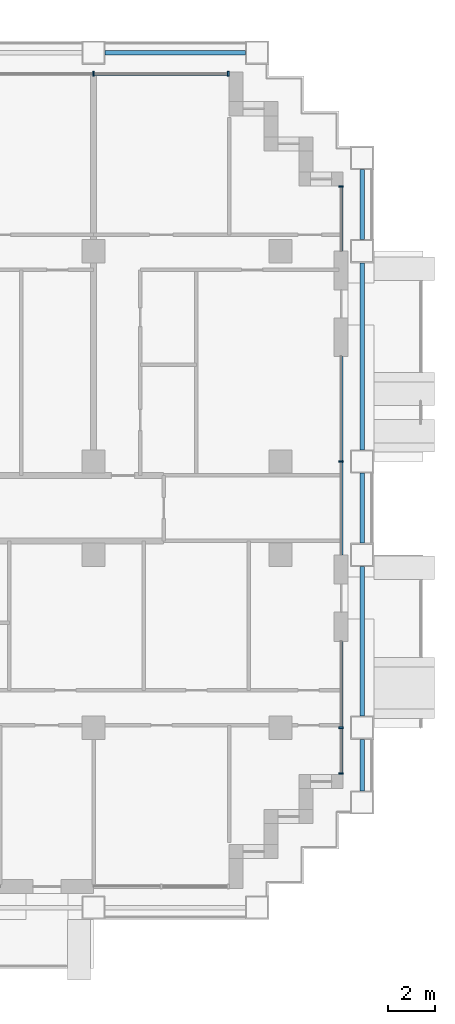
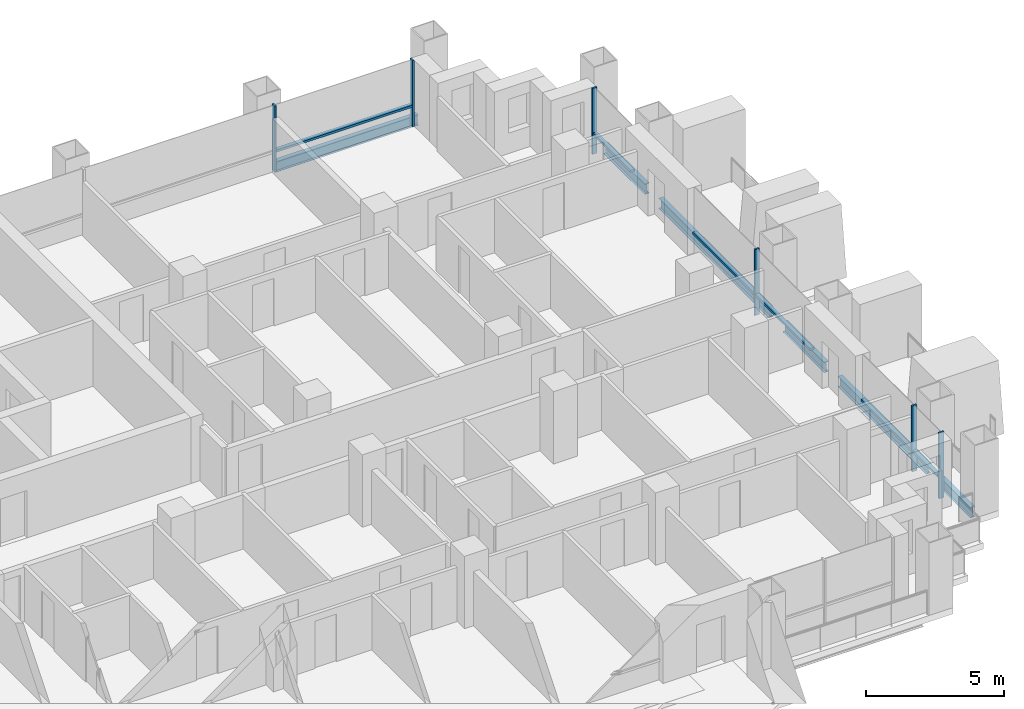
# One storey, part 6 of 18: 12 members, 6 beams, 4 elements without a shape of their own.
"""IFC4 building model written with IfcOpenShell, lengths in metres."""

import ifcopenshell
import ifcopenshell.guid

model = None  # the IFC model being written
_history = None  # IfcOwnerHistory: only IFC2X3 demands one
_inside = {}  # id of a spatial element -> (the spatial element, [elements in it])
_under = {}  # id of a project, library or spatial element -> (it, [spatial elements below it])
_declared = {}  # id of a project -> (the project, [libraries it declares])
_typed = {}  # id of a type object -> (the type object, [elements of that type])
_made_of = {}  # id of a material, layer set ... -> (it, [elements and type objects made of it])


def new_model(schema):
    """Start an empty IFC model of exactly this schema.

    Asked for "IFC4X3", IfcOpenShell would pick the latest addendum, in which some entities
    have other attributes; the version numbers below select the first issue.
    IFC2X3 requires an IfcOwnerHistory on every rooted entity: one is made here for all.
    """
    global model, _history
    if schema == "IFC4X3":
        model = ifcopenshell.file(schema_version=(4, 3, 0, 0))
    else:
        model = ifcopenshell.file(schema=schema)
    _inside.clear()
    _under.clear()
    _declared.clear()
    _typed.clear()
    _made_of.clear()
    _history = None
    if model.schema == "IFC2X3":
        org = make("IfcOrganization", Name="unknown")
        user = make(
            "IfcPersonAndOrganization",
            ThePerson=make("IfcPerson", FamilyName="unknown"),
            TheOrganization=org,
        )
        app = make(
            "IfcApplication",
            ApplicationDeveloper=org,
            Version="unknown",
            ApplicationFullName="unknown",
            ApplicationIdentifier="unknown",
        )
        _history = make(
            "IfcOwnerHistory",
            OwningUser=user,
            OwningApplication=app,
            ChangeAction="ADDED",
            CreationDate=0,
        )
    return model


def make(cls, **values):
    """One entity of the class cls with the attributes given. An attribute that is None is left unset."""
    return model.create_entity(
        cls, **{name: value for name, value in values.items() if value is not None}
    )


def rooted(cls, **values):
    """An entity with a GlobalId (a new one), such as an element, a storey or a relation."""
    return make(cls, GlobalId=ifcopenshell.guid.new(), OwnerHistory=_history, **values)


def si_unit(unit_type, name, prefix=None):
    """IfcSIUnit, for example si_unit("LENGTHUNIT", "METRE", prefix="MILLI")."""
    return make("IfcSIUnit", UnitType=unit_type, Prefix=prefix, Name=name)


def assignment(units):
    """IfcUnitAssignment: the units of a project."""
    return None if units is None else make("IfcUnitAssignment", Units=units)


def point(xyz):
    """IfcCartesianPoint."""
    return None if xyz is None else make("IfcCartesianPoint", Coordinates=xyz)


def direction(xyz):
    """IfcDirection."""
    return None if xyz is None else make("IfcDirection", DirectionRatios=xyz)


def frame(location, z_axis=None, x_axis=None):
    """IfcAxis2Placement3D, a coordinate frame: its origin and axes. An axis left out is left unset."""
    return make(
        "IfcAxis2Placement3D",
        Location=point(location),
        Axis=direction(z_axis),
        RefDirection=direction(x_axis),
    )


def frame_2d(location, x_axis=None):
    """IfcAxis2Placement2D, a coordinate frame in the plane: its origin and x axis."""
    return make(
        "IfcAxis2Placement2D", Location=point(location), RefDirection=direction(x_axis)
    )


def origin():
    """The frame at (0, 0, 0) with its axes left unset."""
    return frame((0.0, 0.0, 0.0))


def origin_2d():
    """The frame at (0, 0) in the plane with its x axis left unset."""
    return frame_2d((0.0, 0.0))


def place(relative_to, where):
    """IfcLocalPlacement: puts the frame where relative to a parent placement (None: the world)."""
    return make(
        "IfcLocalPlacement", PlacementRelTo=relative_to, RelativePlacement=where
    )


def context(
    kind, dimensions, precision=None, world=None, true_north=None, identifier=None
):
    """IfcGeometricRepresentationContext, for example the 3D "Model" context."""
    return make(
        "IfcGeometricRepresentationContext",
        ContextIdentifier=identifier,
        ContextType=kind,
        CoordinateSpaceDimension=dimensions,
        Precision=precision,
        WorldCoordinateSystem=world,
        TrueNorth=true_north,
    )


def subcontext(parent, identifier, kind, view, scale=None):
    """IfcGeometricRepresentationSubContext, for example "Body" below "Model"."""
    return make(
        "IfcGeometricRepresentationSubContext",
        ContextIdentifier=identifier,
        ContextType=kind,
        ParentContext=parent,
        TargetScale=scale,
        TargetView=view,
    )


def project(units=None, contexts=None):
    """IfcProject with its units and contexts."""
    return rooted(
        "IfcProject",
        Name="project",
        RepresentationContexts=contexts,
        UnitsInContext=assignment(units),
    )


def spatial(cls, under=None, at=None, **own):
    """A site, building, storey or space (cls), placed at a placement, below another one or the project."""
    s = rooted(cls, ObjectPlacement=at, **own)
    if under is not None:
        _under.setdefault(under.id(), (under, []))[1].append(s)
    return s


def profile(cls, at=None, kind="AREA", **sizes):
    """A parametric profile (cls). Its sizes go by their IFC names, for example OverallWidth=200.0."""
    return make(cls, ProfileType=kind, Position=at, **sizes)


def rectangle(**sizes):
    """IfcRectangleProfileDef."""
    return profile("IfcRectangleProfileDef", **sizes)


def i_section(**sizes):
    """IfcIShapeProfileDef."""
    return profile("IfcIShapeProfileDef", **sizes)


def extrude(swept, where, along, depth):
    """IfcExtrudedAreaSolid: the profile swept, set in the frame where, extruded along a direction by depth."""
    return make(
        "IfcExtrudedAreaSolid",
        SweptArea=swept,
        Position=where,
        ExtrudedDirection=direction(along),
        Depth=depth,
    )


def shape(context_of_items, identifier, shape_type, items):
    """IfcShapeRepresentation: the items that make up one representation, for example the "Body"."""
    return make(
        "IfcShapeRepresentation",
        ContextOfItems=context_of_items,
        RepresentationIdentifier=identifier,
        RepresentationType=shape_type,
        Items=items,
    )


def material(Name=None, Category=None):
    """IfcMaterial."""
    return make("IfcMaterial", Name=Name, Category=Category)


def material_profile(
    of_material, cross_section, Name=None, Category=None, Priority=None
):
    """IfcMaterialProfile: a cross section and its material."""
    return make(
        "IfcMaterialProfile",
        Name=Name,
        Material=of_material,
        Profile=cross_section,
        Priority=Priority,
        Category=Category,
    )


def profile_set(profiles, Name=None, composite=None):
    """IfcMaterialProfileSet."""
    return make(
        "IfcMaterialProfileSet",
        Name=Name,
        MaterialProfiles=profiles,
        CompositeProfile=composite,
    )


def made_of(thing, what):
    """Note that an element or type object is made of a material, layer set ...; save() writes the relation."""
    if what is not None:
        _made_of.setdefault(what.id(), (what, []))[1].append(thing)
    return thing


def type_object(cls, material=None, **own):
    """A type object (cls), such as IfcWallType, which elements share."""
    return made_of(rooted(cls, **own), material)


def element(
    cls,
    number,
    at=None,
    inside=None,
    cuts=None,
    type_object=None,
    material=None,
    context=None,
    identifier="Body",
    shape_type=None,
    held_by="IfcProductDefinitionShape",
    body=None,
    shapes=None,
    **own,
):
    """One element of the class cls, such as IfcWall. Its Tag is "e" and its number.

    at: its placement. inside: the storey or other place that contains it. cuts: it is an
    opening in that element (IfcRelVoidsElement). A single representation is given by context,
    identifier, shape_type and body (its items); several are given by shapes. held_by: the class
    of the entity that holds the representations. save() writes the other relations.
    """
    e = rooted(cls, Tag="e%d" % number, ObjectPlacement=at, **own)
    if body is not None:
        shapes = [shape(context, identifier, shape_type, body)]
    if shapes is not None:
        e.Representation = make(held_by, Representations=shapes)
    if inside is not None:
        _inside.setdefault(inside.id(), (inside, []))[1].append(e)
    if cuts is not None:
        rooted(
            "IfcRelVoidsElement", RelatingBuildingElement=cuts, RelatedOpeningElement=e
        )
    if type_object is not None:
        _typed.setdefault(type_object.id(), (type_object, []))[1].append(e)
    return made_of(e, material)


def aggregate(whole, parts):
    """IfcRelAggregates: a whole, such as a stair, and the parts it consists of."""
    return rooted("IfcRelAggregates", RelatingObject=whole, RelatedObjects=parts)


def save(model, path):
    """Write the relations noted so far, then the file.

    IfcRelAggregates (storeys below a building ...), IfcRelContainedInSpatialStructure (elements
    in a storey), IfcRelDefinesByType, IfcRelAssociatesMaterial and IfcRelDeclares: one each for
    every whole, place, type object, material and project.
    """
    for whole, parts in _under.values():
        aggregate(whole, parts)
    for where, things in _inside.values():
        rooted(
            "IfcRelContainedInSpatialStructure",
            RelatedElements=things,
            RelatingStructure=where,
        )
    for kind, things in _typed.values():
        rooted("IfcRelDefinesByType", RelatedObjects=things, RelatingType=kind)
    for what, things in _made_of.values():
        rooted("IfcRelAssociatesMaterial", RelatedObjects=things, RelatingMaterial=what)
    for by, libraries in _declared.values():
        rooted("IfcRelDeclares", RelatingContext=by, RelatedDefinitions=libraries)
    model.write(path)


model = new_model("IFC4")

# Units and contexts
model_context = context("Model", 3, precision=1e-05, world=origin(), true_north=direction((0.0, 1.0)))
body_context = subcontext(model_context, "Body", "Model", "MODEL_VIEW")
ifc_project = project(units=[si_unit("LENGTHUNIT", "METRE"), si_unit("AREAUNIT", "SQUARE_METRE"), si_unit("VOLUMEUNIT", "CUBIC_METRE"), si_unit("PLANEANGLEUNIT", "RADIAN"), si_unit("MASSUNIT", "GRAM", prefix="KILO")], contexts=[model_context])

# Site, building, storey
site_placement = place(None, origin())
site = spatial("IfcSite", under=ifc_project, at=site_placement, CompositionType="ELEMENT")
building_placement = place(site_placement, origin())
building = spatial("IfcBuilding", under=site, at=building_placement, Name="Vidyagriha Tower", CompositionType="ELEMENT")
storey_placement = place(building_placement, frame((0.0, 0.0, 44.800048828125)))
storey = spatial("IfcBuildingStorey", under=building, at=storey_placement, Name="L11", CompositionType="ELEMENT", Elevation=44.800048828125)

# Beams
ifc_material_1 = material(Name="Steel ASTM A992 Grade 50", Category="steel")
ifc_material_profile_1 = material_profile(ifc_material_1, i_section(OverallWidth=0.19189453125, OverallDepth=0.46240234375, WebThickness=0.010498046875, FlangeThickness=0.017578125, at=origin_2d()), Name="W18X60")
ifc_profile_set_1 = profile_set([ifc_material_profile_1], Name="Steel ASTM A992 Grade 50")
beam_type = type_object("IfcBeamType", Name="Edge beam W18X60", PredefinedType="SPANDREL", material=ifc_profile_set_1)
beam_1_placement = place(storey_placement, frame((37.5, -12.10009765625, -0.51123046875), z_axis=(0.0, 1.0, 0.0), x_axis=(-1.0, 0.0, 0.0)))
element("IfcBeam", 1, at=beam_1_placement, inside=storey, type_object=beam_type, Name="st-beam-L11-E15", PredefinedType="SPANDREL", context=body_context, shape_type="SweptSolid", body=[
    extrude(i_section(OverallWidth=0.19189453125, OverallDepth=0.46240234375, WebThickness=0.010498046875, FlangeThickness=0.017578125, at=origin_2d()), origin(), (0.0, 0.0, 1.0), 2.2001953125),
])
beam_2_placement = place(storey_placement, frame((37.5, -8.89990234375, -0.51123046875), z_axis=(0.0, 1.0, 0.0), x_axis=(-1.0, 0.0, 0.0)))
element("IfcBeam", 2, at=beam_2_placement, inside=storey, type_object=beam_type, Name="st-beam-L11-E16", PredefinedType="SPANDREL", context=body_context, shape_type="SweptSolid", body=[
    extrude(i_section(OverallWidth=0.19189453125, OverallDepth=0.46240234375, WebThickness=0.010498046875, FlangeThickness=0.017578125, at=origin_2d()), origin(), (0.0, 0.0, 1.0), 6.39990234375),
])
beam_3_placement = place(storey_placement, frame((37.5, -1.5, -0.51123046875), z_axis=(0.0, 1.0, 0.0), x_axis=(-1.0, 0.0, 0.0)))
element("IfcBeam", 3, at=beam_3_placement, inside=storey, type_object=beam_type, Name="st-beam-L11-E17", PredefinedType="SPANDREL", context=body_context, shape_type="SweptSolid", body=[
    extrude(i_section(OverallWidth=0.19189453125, OverallDepth=0.46240234375, WebThickness=0.010498046875, FlangeThickness=0.017578125, at=origin_2d()), origin(), (0.0, 0.0, 1.0), 3.0),
])
beam_4_placement = place(storey_placement, frame((37.5, 2.5, -0.51123046875), z_axis=(0.0, 1.0, 0.0), x_axis=(-1.0, 0.0, 0.0)))
element("IfcBeam", 4, at=beam_4_placement, inside=storey, type_object=beam_type, Name="st-beam-L11-E18", PredefinedType="SPANDREL", context=body_context, shape_type="SweptSolid", body=[
    extrude(i_section(OverallWidth=0.19189453125, OverallDepth=0.46240234375, WebThickness=0.010498046875, FlangeThickness=0.017578125, at=origin_2d()), origin(), (0.0, 0.0, 1.0), 8.0),
])
beam_5_placement = place(storey_placement, frame((37.5, 11.5, -0.51123046875), z_axis=(0.0, 1.0, 0.0), x_axis=(-1.0, 0.0, 0.0)))
element("IfcBeam", 5, at=beam_5_placement, inside=storey, type_object=beam_type, Name="st-beam-L11-E19", PredefinedType="SPANDREL", context=body_context, shape_type="SweptSolid", body=[
    extrude(i_section(OverallWidth=0.19189453125, OverallDepth=0.46240234375, WebThickness=0.010498046875, FlangeThickness=0.017578125, at=origin_2d()), origin(), (0.0, 0.0, 1.0), 3.0),
])
beam_6_placement = place(storey_placement, frame((26.5, 19.5, -0.51123046875), z_axis=(1.0, 0.0, 0.0), x_axis=(0.0, 1.0, 0.0)))
element("IfcBeam", 6, at=beam_6_placement, inside=storey, type_object=beam_type, Name="st-beam-L11-NE23", PredefinedType="SPANDREL", context=body_context, shape_type="SweptSolid", body=[
    extrude(i_section(OverallWidth=0.19189453125, OverallDepth=0.46240234375, WebThickness=0.010498046875, FlangeThickness=0.017578125, at=origin_2d()), origin(), (0.0, 0.0, 1.0), 6.0),
])

# Curtain wall, members
ifc_material_2 = material(Name="Aluminium and glass curtain wall", Category="aluminium")
curtain_wall_type = type_object("IfcCurtainWallType", Name="Dwelling skin unitised curtain wall", PredefinedType="USERDEFINED", material=ifc_material_2)
curtain_wall_1_placement = place(storey_placement, origin())
curtain_wall_1 = element("IfcCurtainWall", 7, at=curtain_wall_1_placement, inside=storey, type_object=curtain_wall_type, Name="CW1 dwelling skin", ObjectType="UNITISED", PredefinedType="USERDEFINED")
ifc_material_3 = material(Name="Aluminium black anodised", Category="aluminium")
ifc_material_profile_2 = material_profile(ifc_material_3, rectangle(XDim=0.199951171875, YDim=0.070068359375, at=origin_2d()), Name="Mullion 70x200 black aluminium")
ifc_profile_set_2 = profile_set([ifc_material_profile_2], Name="Aluminium black anodised")
member_type_1 = type_object("IfcMemberType", Name="Mullion 70x200 black aluminium", PredefinedType="MULLION", material=ifc_profile_set_2)
member_1_placement = place(storey_placement, frame((31.764892578125, 18.60009765625, 0.0), z_axis=(0.0, 0.0, 1.0), x_axis=(0.0, -1.0, 0.0)))
member_1 = element("IfcMember", 8, at=member_1_placement, type_object=member_type_1, Name="CW1 mullion 1", PredefinedType="MULLION", context=body_context, shape_type="SweptSolid", body=[
    extrude(rectangle(XDim=0.199951171875, YDim=0.070068359375, at=origin_2d()), origin(), (0.0, 0.0, 1.0), 2.919921875),
])
member_2_placement = place(storey_placement, frame((26.0, 18.60009765625, 0.0), z_axis=(0.0, 0.0, 1.0), x_axis=(0.0, -1.0, 0.0)))
member_2 = element("IfcMember", 9, at=member_2_placement, type_object=member_type_1, Name="CW1 mullion 2", PredefinedType="MULLION", context=body_context, shape_type="SweptSolid", body=[
    extrude(rectangle(XDim=0.199951171875, YDim=0.070068359375, at=origin_2d()), origin(), (0.0, 0.0, 1.0), 2.919921875),
])

curtain_wall_2_placement = place(storey_placement, origin())
curtain_wall_2 = element("IfcCurtainWall", 10, at=curtain_wall_2_placement, inside=storey, type_object=curtain_wall_type, Name="CW1 dwelling skin", ObjectType="UNITISED", PredefinedType="USERDEFINED")
member_3_placement = place(storey_placement, frame((36.60009765625, -11.364990234375, 0.0), z_axis=(0.0, 0.0, 1.0), x_axis=(-1.0, 0.0, 0.0)))
member_3 = element("IfcMember", 11, at=member_3_placement, type_object=member_type_1, Name="CW1 mullion 1", PredefinedType="MULLION", context=body_context, shape_type="SweptSolid", body=[
    extrude(rectangle(XDim=0.199951171875, YDim=0.070068359375, at=origin_2d()), origin(), (0.0, 0.0, 1.0), 2.919921875),
])
member_4_placement = place(storey_placement, frame((36.60009765625, -9.39990234375, 0.0), z_axis=(0.0, 0.0, 1.0), x_axis=(-1.0, 0.0, 0.0)))
member_4 = element("IfcMember", 12, at=member_4_placement, type_object=member_type_1, Name="CW1 mullion 2", PredefinedType="MULLION", context=body_context, shape_type="SweptSolid", body=[
    extrude(rectangle(XDim=0.199951171875, YDim=0.070068359375, at=origin_2d()), origin(), (0.0, 0.0, 1.0), 2.919921875),
])

# Curtain wall, member
curtain_wall_3_placement = place(storey_placement, origin())
curtain_wall_3 = element("IfcCurtainWall", 13, at=curtain_wall_3_placement, inside=storey, type_object=curtain_wall_type, Name="CW1 dwelling skin", ObjectType="UNITISED", PredefinedType="USERDEFINED")
member_5_placement = place(storey_placement, frame((36.60009765625, 2.0, 0.0), z_axis=(0.0, 0.0, 1.0), x_axis=(-1.0, 0.0, 0.0)))
member_5 = element("IfcMember", 14, at=member_5_placement, type_object=member_type_1, Name="CW1 mullion 2", PredefinedType="MULLION", context=body_context, shape_type="SweptSolid", body=[
    extrude(rectangle(XDim=0.199951171875, YDim=0.070068359375, at=origin_2d()), origin(), (0.0, 0.0, 1.0), 2.919921875),
])

curtain_wall_4_placement = place(storey_placement, origin())
curtain_wall_4 = element("IfcCurtainWall", 15, at=curtain_wall_4_placement, inside=storey, type_object=curtain_wall_type, Name="CW1 dwelling skin", ObjectType="UNITISED", PredefinedType="USERDEFINED")
member_6_placement = place(storey_placement, frame((36.60009765625, 13.764892578125, 0.0), z_axis=(0.0, 0.0, 1.0), x_axis=(-1.0, 0.0, 0.0)))
member_6 = element("IfcMember", 16, at=member_6_placement, type_object=member_type_1, Name="CW1 mullion 2", PredefinedType="MULLION", context=body_context, shape_type="SweptSolid", body=[
    extrude(rectangle(XDim=0.199951171875, YDim=0.070068359375, at=origin_2d()), origin(), (0.0, 0.0, 1.0), 2.919921875),
])

# Member
ifc_material_4 = material(Name="Aluminium black anodised", Category="aluminium")
ifc_material_profile_3 = material_profile(ifc_material_4, rectangle(XDim=0.159912109375, YDim=0.10009765625, at=origin_2d()), Name="Transom 100x160 black aluminium")
ifc_profile_set_3 = profile_set([ifc_material_profile_3], Name="Aluminium black anodised")
member_type_2 = type_object("IfcMemberType", Name="Transom 100x160 black aluminium", PredefinedType="USERDEFINED", material=ifc_profile_set_3)
member_7_placement = place(storey_placement, frame((31.72998046875, 18.60009765625, 0.89990234375), z_axis=(-1.0, 0.0, 0.0), x_axis=(0.0, -1.0, 0.0)))
member_7 = element("IfcMember", 17, at=member_7_placement, type_object=member_type_2, Name="CW1 transom 1.1", ObjectType="TRANSOM", PredefinedType="USERDEFINED", context=body_context, shape_type="SweptSolid", body=[
    extrude(rectangle(XDim=0.159912109375, YDim=0.10009765625, at=origin_2d()), origin(), (0.0, 0.0, 1.0), 5.695068359375),
])

aggregate(curtain_wall_1, [member_1, member_2, member_7])

member_8_placement = place(storey_placement, frame((36.60009765625, -11.330078125, 0.89990234375), z_axis=(0.0, 1.0, 0.0), x_axis=(-1.0, 0.0, 0.0)))
member_8 = element("IfcMember", 18, at=member_8_placement, type_object=member_type_2, Name="CW1 transom 1.1", ObjectType="TRANSOM", PredefinedType="USERDEFINED", context=body_context, shape_type="SweptSolid", body=[
    extrude(rectangle(XDim=0.159912109375, YDim=0.10009765625, at=origin_2d()), origin(), (0.0, 0.0, 1.0), 1.89501953125),
])

member_9_placement = place(storey_placement, frame((36.60009765625, -9.364990234375, 0.89990234375), z_axis=(0.0, 1.0, 0.0), x_axis=(-1.0, 0.0, 0.0)))
member_9 = element("IfcMember", 19, at=member_9_placement, type_object=member_type_2, Name="CW1 transom 2.1", ObjectType="TRANSOM", PredefinedType="USERDEFINED", context=body_context, shape_type="SweptSolid", body=[
    extrude(rectangle(XDim=0.159912109375, YDim=0.10009765625, at=origin_2d()), origin(), (0.0, 0.0, 1.0), 3.6650390625),
])

aggregate(curtain_wall_2, [member_3, member_4, member_8, member_9])

member_10_placement = place(storey_placement, frame((36.60009765625, -2.0, 0.89990234375), z_axis=(0.0, 1.0, 0.0), x_axis=(-1.0, 0.0, 0.0)))
member_10 = element("IfcMember", 20, at=member_10_placement, type_object=member_type_2, Name="CW1 transom 1.1", ObjectType="TRANSOM", PredefinedType="USERDEFINED", context=body_context, shape_type="SweptSolid", body=[
    extrude(rectangle(XDim=0.159912109375, YDim=0.10009765625, at=origin_2d()), origin(), (0.0, 0.0, 1.0), 3.965087890625),
])

member_11_placement = place(storey_placement, frame((36.60009765625, 2.034912109375, 0.89990234375), z_axis=(0.0, 1.0, 0.0), x_axis=(-1.0, 0.0, 0.0)))
member_11 = element("IfcMember", 21, at=member_11_placement, type_object=member_type_2, Name="CW1 transom 2.1", ObjectType="TRANSOM", PredefinedType="USERDEFINED", context=body_context, shape_type="SweptSolid", body=[
    extrude(rectangle(XDim=0.159912109375, YDim=0.10009765625, at=origin_2d()), origin(), (0.0, 0.0, 1.0), 4.465087890625),
])

aggregate(curtain_wall_3, [member_5, member_10, member_11])

member_12_placement = place(storey_placement, frame((36.60009765625, 11.0, 0.89990234375), z_axis=(0.0, 1.0, 0.0), x_axis=(-1.0, 0.0, 0.0)))
member_12 = element("IfcMember", 22, at=member_12_placement, type_object=member_type_2, Name="CW1 transom 1.1", ObjectType="TRANSOM", PredefinedType="USERDEFINED", context=body_context, shape_type="SweptSolid", body=[
    extrude(rectangle(XDim=0.159912109375, YDim=0.10009765625, at=origin_2d()), origin(), (0.0, 0.0, 1.0), 2.72998046875),
])

aggregate(curtain_wall_4, [member_6, member_12])

save(model, "model.ifc")
